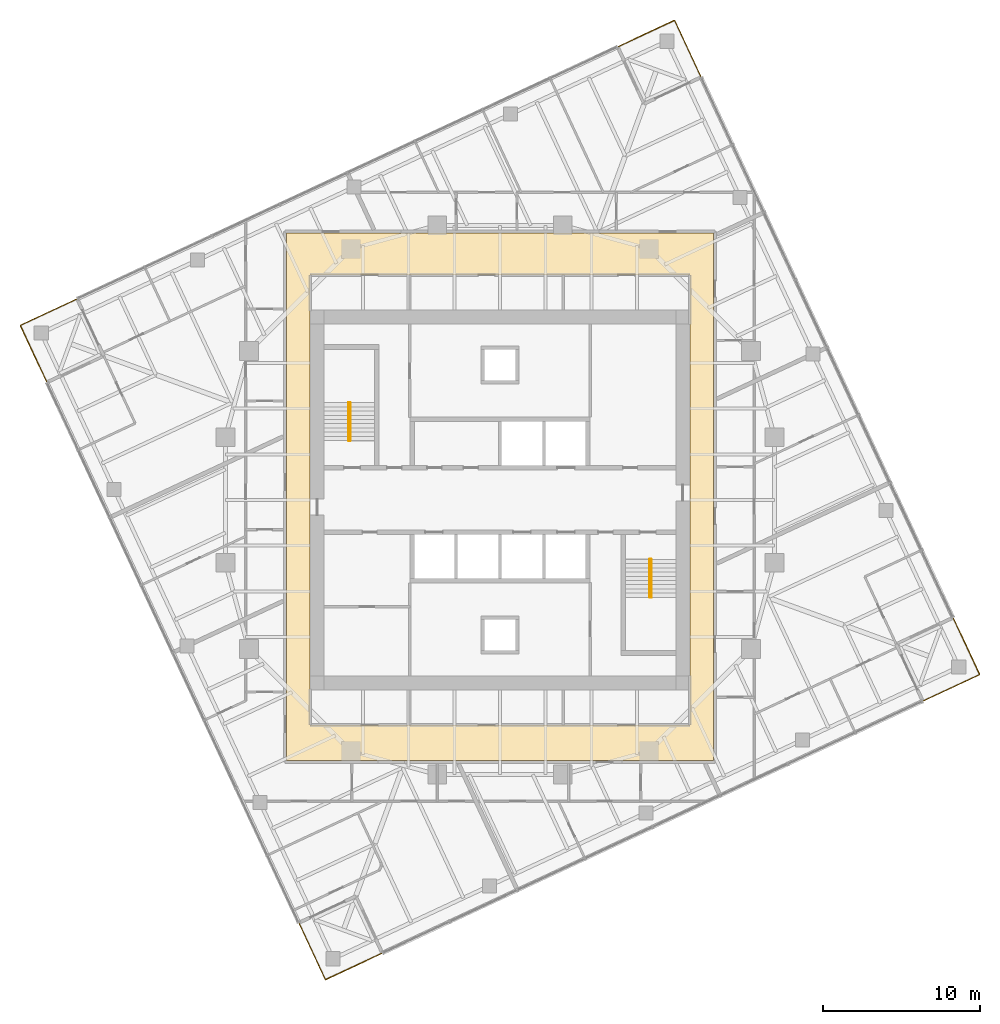
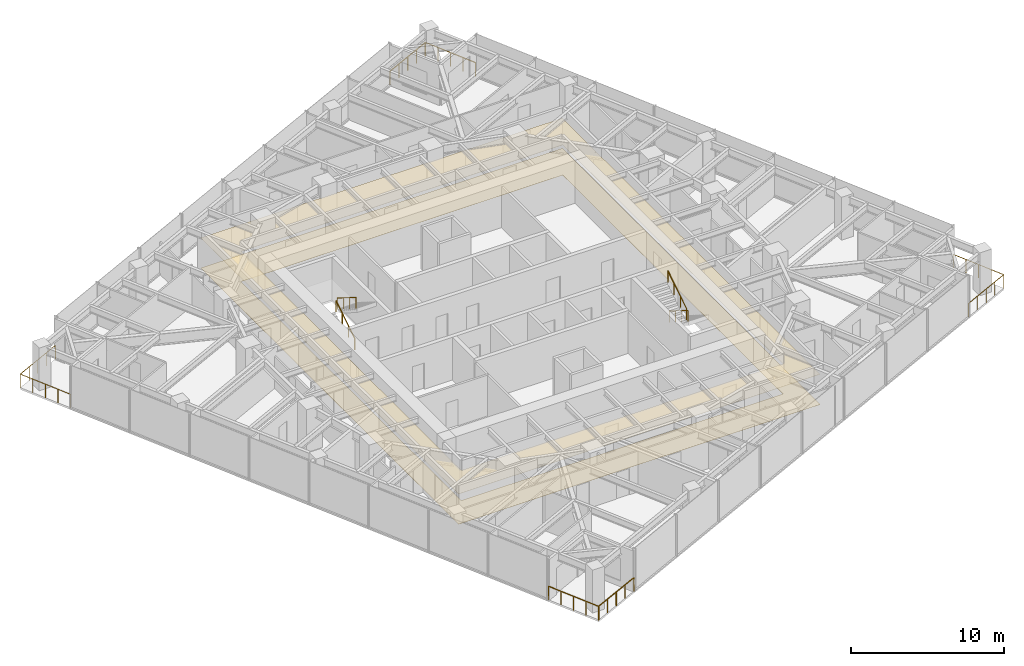
# One storey, part 12 of 12: 8 railings, 2 coverings, 2 elements without a shape of their own.
"""IFC4 building model written with IfcOpenShell, lengths in metres."""

from ifc_helpers import new_model, si_unit, direction, frame, origin, origin_2d, place, context, subcontext, project, spatial, polyline, circle, outline, extrude, material, layer, layer_set, type_object, element, aggregate, save


model = new_model("IFC4")

# Units and contexts
model_context = context("Model", 3, precision=1e-05, world=origin(), true_north=direction((0.0, 1.0)))
body_context = subcontext(model_context, "Body", "Model", "MODEL_VIEW")
ifc_project = project(units=[si_unit("LENGTHUNIT", "METRE"), si_unit("AREAUNIT", "SQUARE_METRE"), si_unit("VOLUMEUNIT", "CUBIC_METRE"), si_unit("PLANEANGLEUNIT", "RADIAN"), si_unit("MASSUNIT", "GRAM", prefix="KILO")], contexts=[model_context])

# Site, building, storey
site_placement = place(None, origin())
site = spatial("IfcSite", under=ifc_project, at=site_placement, CompositionType="ELEMENT")
building_placement = place(site_placement, origin())
building = spatial("IfcBuilding", under=site, at=building_placement, Name="Torsade Residences", CompositionType="ELEMENT")
storey_placement = place(building_placement, frame((0.0, 0.0, 186.199951171875)))
storey = spatial("IfcBuildingStorey", under=building, at=storey_placement, Name="L51", CompositionType="ELEMENT", Elevation=186.199951171875)

# Coverings
ifc_material_1 = material(Name="Nylon carpet tile on underlay", Category="textile")
ifc_layer_1 = layer(ifc_material_1, 0.010009765625)
ifc_layer_set_1 = layer_set([ifc_layer_1], Name="Nylon carpet tile on underlay")
covering_type_1 = type_object("IfcCoveringType", Name="CORRIDOR CARPET TILE 10", PredefinedType="FLOORING", material=ifc_layer_set_1)
covering_1_placement = place(storey_placement, origin())
element("IfcCovering", 1, at=covering_1_placement, inside=storey, type_object=covering_type_1, Name="Corridor carpet L51", PredefinedType="FLOORING", context=body_context, shape_type="SweptSolid", body=[
    extrude(outline(polyline([(26.39990234375, 47.0), (26.39990234375, 13.39990234375), (53.60009765625, 13.39990234375), (53.60009765625, 47.0), (26.39990234375, 47.0)]), holes=[polyline([(52.10009765625, 44.35009765625), (27.89990234375, 44.35009765625), (27.89990234375, 15.64990234375), (52.10009765625, 15.64990234375), (52.10009765625, 44.35009765625)])]), origin(), (0.0, 0.0, 1.0), 0.010009765625),
])
ifc_material_2 = material(Name="Plasterboard on suspended steel grid", Category="steel")
ifc_layer_2 = layer(ifc_material_2, 0.012939453125)
ifc_layer_set_2 = layer_set([ifc_layer_2], Name="Plasterboard on suspended steel grid")
covering_type_2 = type_object("IfcCoveringType", Name="CORRIDOR SUSPENDED CEILING 13", PredefinedType="CEILING", material=ifc_layer_set_2)
covering_2_placement = place(storey_placement, frame((0.0, 0.0, 2.400146484375)))
element("IfcCovering", 2, at=covering_2_placement, inside=storey, type_object=covering_type_2, Name="Corridor ceiling L51", PredefinedType="CEILING", context=body_context, shape_type="SweptSolid", body=[
    extrude(outline(polyline([(26.39990234375, 47.0), (26.39990234375, 13.39990234375), (53.60009765625, 13.39990234375), (53.60009765625, 47.0), (26.39990234375, 47.0)]), holes=[polyline([(52.10009765625, 44.35009765625), (27.89990234375, 44.35009765625), (27.89990234375, 15.64990234375), (52.10009765625, 15.64990234375), (52.10009765625, 44.35009765625)])]), origin(), (0.0, 0.0, 1.0), 0.012939453125),
])

# Stair, railings
ifc_material_3 = material(Name="Precast concrete 40 MPa", Category="concrete")
stair_type = type_object("IfcStairType", Name="HALF-TURN FIRE STAIR 1500x3400", PredefinedType="HALF_TURN_STAIR", material=ifc_material_3)
stair_1_placement = place(storey_placement, origin())
stair_1 = element("IfcStair", 3, at=stair_1_placement, inside=storey, type_object=stair_type, Name="Stair ST1 L51", PredefinedType="HALF_TURN_STAIR")
ifc_material_4 = material(Name="Steel handrail", Category="steel")
railing_type_1 = type_object("IfcRailingType", Name="STAIR HANDRAIL 900", PredefinedType="HANDRAIL", material=ifc_material_4)
railing_1_placement = place(storey_placement, frame((30.35009765625, 33.780029296875, 0.170166015625)))
railing_1 = element("IfcRailing", 4, at=railing_1_placement, type_object=railing_type_1, Name="Handrail ST1 flight 1 L51", PredefinedType="HANDRAIL", context=body_context, shape_type="SweptSolid", body=[
    extrude(circle(Radius=0.02392578125, at=origin_2d()), frame((0.0, 0.0, 0.8759765625), z_axis=(0.0, 0.846259816676, 0.532770422113), x_axis=(-1.0, 0.0, 0.0)), (0.0, 0.0, 1.0), 2.871337890625),
    extrude(circle(Radius=0.02099609375, at=origin_2d()), origin(), (0.0, 0.0, 1.0), 0.851806640625),
    extrude(circle(Radius=0.02099609375, at=origin_2d()), frame((0.0, 0.81005859375, 0.510009765625)), (0.0, 0.0, 1.0), 0.851806640625),
    extrude(circle(Radius=0.02099609375, at=origin_2d()), frame((0.0, 1.619873046875, 1.019775390625)), (0.0, 0.0, 1.0), 0.851806640625),
    extrude(circle(Radius=0.02099609375, at=origin_2d()), frame((0.0, 2.429931640625, 1.52978515625)), (0.0, 0.0, 1.0), 0.851806640625),
])
railing_2_placement = place(storey_placement, frame((30.449951171875, 36.2099609375, 1.8701171875)))
railing_2 = element("IfcRailing", 5, at=railing_2_placement, type_object=railing_type_1, Name="Handrail ST1 flight 2 L51", PredefinedType="HANDRAIL", context=body_context, shape_type="SweptSolid", body=[
    extrude(circle(Radius=0.02392578125, at=origin_2d()), frame((0.0, 0.0, 0.8759765625), z_axis=(0.0, -0.846221481393, 0.532831309544), x_axis=(1.0, 0.0, 0.0)), (0.0, 0.0, 1.0), 2.87158203125),
    extrude(circle(Radius=0.02099609375, at=origin_2d()), origin(), (0.0, 0.0, 1.0), 0.851806640625),
    extrude(circle(Radius=0.02099609375, at=origin_2d()), frame((0.0, -0.81005859375, 0.510009765625)), (0.0, 0.0, 1.0), 0.851806640625),
    extrude(circle(Radius=0.02099609375, at=origin_2d()), frame((0.0, -1.619873046875, 1.02001953125)), (0.0, 0.0, 1.0), 0.851806640625),
    extrude(circle(Radius=0.02099609375, at=origin_2d()), frame((0.0, -2.429931640625, 1.530029296875)), (0.0, 0.0, 1.0), 0.851806640625),
])
aggregate(stair_1, [railing_1, railing_2])

stair_2_placement = place(storey_placement, origin())
stair_2 = element("IfcStair", 6, at=stair_2_placement, inside=storey, type_object=stair_type, Name="Stair ST2 L51", PredefinedType="HALF_TURN_STAIR")
railing_3_placement = place(storey_placement, frame((49.64990234375, 26.219970703125, 0.170166015625)))
railing_3 = element("IfcRailing", 7, at=railing_3_placement, type_object=railing_type_1, Name="Handrail ST2 flight 1 L51", PredefinedType="HANDRAIL", context=body_context, shape_type="SweptSolid", body=[
    extrude(circle(Radius=0.02392578125, at=origin_2d()), frame((0.0, 0.0, 0.8759765625), z_axis=(0.0, -0.846259816676, 0.532770422113), x_axis=(1.0, 0.0, 0.0)), (0.0, 0.0, 1.0), 2.871337890625),
    extrude(circle(Radius=0.02099609375, at=origin_2d()), origin(), (0.0, 0.0, 1.0), 0.851806640625),
    extrude(circle(Radius=0.02099609375, at=origin_2d()), frame((0.0, -0.81005859375, 0.510009765625)), (0.0, 0.0, 1.0), 0.851806640625),
    extrude(circle(Radius=0.02099609375, at=origin_2d()), frame((0.0, -1.619873046875, 1.019775390625)), (0.0, 0.0, 1.0), 0.851806640625),
    extrude(circle(Radius=0.02099609375, at=origin_2d()), frame((0.0, -2.429931640625, 1.52978515625)), (0.0, 0.0, 1.0), 0.851806640625),
])
railing_4_placement = place(storey_placement, frame((49.550048828125, 23.7900390625, 1.8701171875)))
railing_4 = element("IfcRailing", 8, at=railing_4_placement, type_object=railing_type_1, Name="Handrail ST2 flight 2 L51", PredefinedType="HANDRAIL", context=body_context, shape_type="SweptSolid", body=[
    extrude(circle(Radius=0.02392578125, at=origin_2d()), frame((0.0, 0.0, 0.8759765625), z_axis=(0.0, 0.846221481393, 0.532831309544), x_axis=(-1.0, 0.0, 0.0)), (0.0, 0.0, 1.0), 2.87158203125),
    extrude(circle(Radius=0.02099609375, at=origin_2d()), origin(), (0.0, 0.0, 1.0), 0.851806640625),
    extrude(circle(Radius=0.02099609375, at=origin_2d()), frame((0.0, 0.81005859375, 0.510009765625)), (0.0, 0.0, 1.0), 0.851806640625),
    extrude(circle(Radius=0.02099609375, at=origin_2d()), frame((0.0, 1.619873046875, 1.02001953125)), (0.0, 0.0, 1.0), 0.851806640625),
    extrude(circle(Radius=0.02099609375, at=origin_2d()), frame((0.0, 2.429931640625, 1.530029296875)), (0.0, 0.0, 1.0), 0.851806640625),
])
aggregate(stair_2, [railing_3, railing_4])

# Railings
ifc_material_5 = material(Name="Laminated glass balustrade", Category="glass")
railing_type_2 = type_object("IfcRailingType", Name="TERRACE GLASS BALUSTRADE 1100", PredefinedType="BALUSTRADE", material=ifc_material_5)
railing_5_placement = place(storey_placement, frame((66.940185546875, 17.1845703125, 0.0)))
element("IfcRailing", 9, at=railing_5_placement, inside=storey, type_object=railing_type_2, Name="Terrace balustrade SE L51", PredefinedType="BALUSTRADE", context=body_context, shape_type="SweptSolid", body=[
    extrude(circle(Radius=0.02392578125, at=origin_2d()), frame((0.0, 0.0, 1.076171875), z_axis=(0.906278236866, 0.422681626502, 0.0), x_axis=(-0.422681626502, 0.906278236866, 0.0)), (0.0, 0.0, 1.0), 3.999755859375),
    extrude(circle(Radius=0.02392578125, at=origin_2d()), frame((3.625, 1.690673828125, 1.076171875), z_axis=(-0.422608113797, 0.906312519031, 0.0), x_axis=(-0.906312519031, -0.422608113797, 0.0)), (0.0, 0.0, 1.0), 4.0),
    extrude(circle(Radius=0.02099609375, at=origin_2d()), origin(), (0.0, 0.0, 1.0), 1.052001953125),
    extrude(circle(Radius=0.02099609375, at=origin_2d()), frame((0.90625, 0.422607421875, 0.0)), (0.0, 0.0, 1.0), 1.052001953125),
    extrude(circle(Radius=0.02099609375, at=origin_2d()), frame((1.8125, 0.84521484375, 0.0)), (0.0, 0.0, 1.0), 1.052001953125),
    extrude(circle(Radius=0.02099609375, at=origin_2d()), frame((2.71875, 1.26806640625, 0.0)), (0.0, 0.0, 1.0), 1.052001953125),
    extrude(circle(Radius=0.02099609375, at=origin_2d()), frame((3.625, 1.690673828125, 0.0)), (0.0, 0.0, 1.0), 1.052001953125),
    extrude(circle(Radius=0.02099609375, at=origin_2d()), frame((3.202392578125, 2.596923828125, 0.0)), (0.0, 0.0, 1.0), 1.052001953125),
    extrude(circle(Radius=0.02099609375, at=origin_2d()), frame((2.77978515625, 3.50341796875, 0.0)), (0.0, 0.0, 1.0), 1.052001953125),
    extrude(circle(Radius=0.02099609375, at=origin_2d()), frame((2.357177734375, 4.40966796875, 0.0)), (0.0, 0.0, 1.0), 1.052001953125),
    extrude(circle(Radius=0.02099609375, at=origin_2d()), frame((1.9345703125, 5.31591796875, 0.0)), (0.0, 0.0, 1.0), 1.052001953125),
])
railing_6_placement = place(storey_placement, frame((52.8154296875, 56.940185546875, 0.0)))
element("IfcRailing", 10, at=railing_6_placement, inside=storey, type_object=railing_type_2, Name="Terrace balustrade NE L51", PredefinedType="BALUSTRADE", context=body_context, shape_type="SweptSolid", body=[
    extrude(circle(Radius=0.02392578125, at=origin_2d()), frame((0.0, 0.0, 1.076171875), z_axis=(-0.422681626502, 0.906278236866, 0.0), x_axis=(-0.906278236866, -0.422681626502, 0.0)), (0.0, 0.0, 1.0), 3.999755859375),
    extrude(circle(Radius=0.02392578125, at=origin_2d()), frame((-1.690673828125, 3.625, 1.076171875), z_axis=(-0.906312519031, -0.422608113797, 0.0), x_axis=(0.422608113797, -0.906312519031, 0.0)), (0.0, 0.0, 1.0), 4.0),
    extrude(circle(Radius=0.02099609375, at=origin_2d()), origin(), (0.0, 0.0, 1.0), 1.052001953125),
    extrude(circle(Radius=0.02099609375, at=origin_2d()), frame((-0.422607421875, 0.90625, 0.0)), (0.0, 0.0, 1.0), 1.052001953125),
    extrude(circle(Radius=0.02099609375, at=origin_2d()), frame((-0.84521484375, 1.8125, 0.0)), (0.0, 0.0, 1.0), 1.052001953125),
    extrude(circle(Radius=0.02099609375, at=origin_2d()), frame((-1.26806640625, 2.71875, 0.0)), (0.0, 0.0, 1.0), 1.052001953125),
    extrude(circle(Radius=0.02099609375, at=origin_2d()), frame((-1.690673828125, 3.625, 0.0)), (0.0, 0.0, 1.0), 1.052001953125),
    extrude(circle(Radius=0.02099609375, at=origin_2d()), frame((-2.596923828125, 3.202392578125, 0.0)), (0.0, 0.0, 1.0), 1.052001953125),
    extrude(circle(Radius=0.02099609375, at=origin_2d()), frame((-3.50341796875, 2.77978515625, 0.0)), (0.0, 0.0, 1.0), 1.052001953125),
    extrude(circle(Radius=0.02099609375, at=origin_2d()), frame((-4.40966796875, 2.357177734375, 0.0)), (0.0, 0.0, 1.0), 1.052001953125),
    extrude(circle(Radius=0.02099609375, at=origin_2d()), frame((-5.31591796875, 1.9345703125, 0.0)), (0.0, 0.0, 1.0), 1.052001953125),
])
railing_7_placement = place(storey_placement, frame((13.059814453125, 42.8154296875, 0.0)))
element("IfcRailing", 11, at=railing_7_placement, inside=storey, type_object=railing_type_2, Name="Terrace balustrade NW L51", PredefinedType="BALUSTRADE", context=body_context, shape_type="SweptSolid", body=[
    extrude(circle(Radius=0.02392578125, at=origin_2d()), frame((0.0, 0.0, 1.076171875), z_axis=(-0.906278236866, -0.422681626502, 0.0), x_axis=(0.422681626502, -0.906278236866, 0.0)), (0.0, 0.0, 1.0), 3.999755859375),
    extrude(circle(Radius=0.02392578125, at=origin_2d()), frame((-3.625, -1.690673828125, 1.076171875), z_axis=(0.422608113797, -0.906312519031, 0.0), x_axis=(0.906312519031, 0.422608113797, 0.0)), (0.0, 0.0, 1.0), 4.0),
    extrude(circle(Radius=0.02099609375, at=origin_2d()), origin(), (0.0, 0.0, 1.0), 1.052001953125),
    extrude(circle(Radius=0.02099609375, at=origin_2d()), frame((-0.90625, -0.422607421875, 0.0)), (0.0, 0.0, 1.0), 1.052001953125),
    extrude(circle(Radius=0.02099609375, at=origin_2d()), frame((-1.8125, -0.84521484375, 0.0)), (0.0, 0.0, 1.0), 1.052001953125),
    extrude(circle(Radius=0.02099609375, at=origin_2d()), frame((-2.71875, -1.26806640625, 0.0)), (0.0, 0.0, 1.0), 1.052001953125),
    extrude(circle(Radius=0.02099609375, at=origin_2d()), frame((-3.625, -1.690673828125, 0.0)), (0.0, 0.0, 1.0), 1.052001953125),
    extrude(circle(Radius=0.02099609375, at=origin_2d()), frame((-3.202392578125, -2.596923828125, 0.0)), (0.0, 0.0, 1.0), 1.052001953125),
    extrude(circle(Radius=0.02099609375, at=origin_2d()), frame((-2.77978515625, -3.50341796875, 0.0)), (0.0, 0.0, 1.0), 1.052001953125),
    extrude(circle(Radius=0.02099609375, at=origin_2d()), frame((-2.357177734375, -4.40966796875, 0.0)), (0.0, 0.0, 1.0), 1.052001953125),
    extrude(circle(Radius=0.02099609375, at=origin_2d()), frame((-1.9345703125, -5.31591796875, 0.0)), (0.0, 0.0, 1.0), 1.052001953125),
])
railing_8_placement = place(storey_placement, frame((27.1845703125, 3.059814453125, 0.0)))
element("IfcRailing", 12, at=railing_8_placement, inside=storey, type_object=railing_type_2, Name="Terrace balustrade SW L51", PredefinedType="BALUSTRADE", context=body_context, shape_type="SweptSolid", body=[
    extrude(circle(Radius=0.02392578125, at=origin_2d()), frame((0.0, 0.0, 1.076171875), z_axis=(0.422681626502, -0.906278236866, 0.0), x_axis=(0.906278236866, 0.422681626502, 0.0)), (0.0, 0.0, 1.0), 3.999755859375),
    extrude(circle(Radius=0.02392578125, at=origin_2d()), frame((1.690673828125, -3.625, 1.076171875), z_axis=(0.906312519031, 0.422608113797, 0.0), x_axis=(-0.422608113797, 0.906312519031, 0.0)), (0.0, 0.0, 1.0), 4.0),
    extrude(circle(Radius=0.02099609375, at=origin_2d()), origin(), (0.0, 0.0, 1.0), 1.052001953125),
    extrude(circle(Radius=0.02099609375, at=origin_2d()), frame((0.422607421875, -0.90625, 0.0)), (0.0, 0.0, 1.0), 1.052001953125),
    extrude(circle(Radius=0.02099609375, at=origin_2d()), frame((0.84521484375, -1.8125, 0.0)), (0.0, 0.0, 1.0), 1.052001953125),
    extrude(circle(Radius=0.02099609375, at=origin_2d()), frame((1.26806640625, -2.71875, 0.0)), (0.0, 0.0, 1.0), 1.052001953125),
    extrude(circle(Radius=0.02099609375, at=origin_2d()), frame((1.690673828125, -3.625, 0.0)), (0.0, 0.0, 1.0), 1.052001953125),
    extrude(circle(Radius=0.02099609375, at=origin_2d()), frame((2.596923828125, -3.202392578125, 0.0)), (0.0, 0.0, 1.0), 1.052001953125),
    extrude(circle(Radius=0.02099609375, at=origin_2d()), frame((3.50341796875, -2.77978515625, 0.0)), (0.0, 0.0, 1.0), 1.052001953125),
    extrude(circle(Radius=0.02099609375, at=origin_2d()), frame((4.40966796875, -2.357177734375, 0.0)), (0.0, 0.0, 1.0), 1.052001953125),
    extrude(circle(Radius=0.02099609375, at=origin_2d()), frame((5.31591796875, -1.9345703125, 0.0)), (0.0, 0.0, 1.0), 1.052001953125),
])

save(model, "model.ifc")
